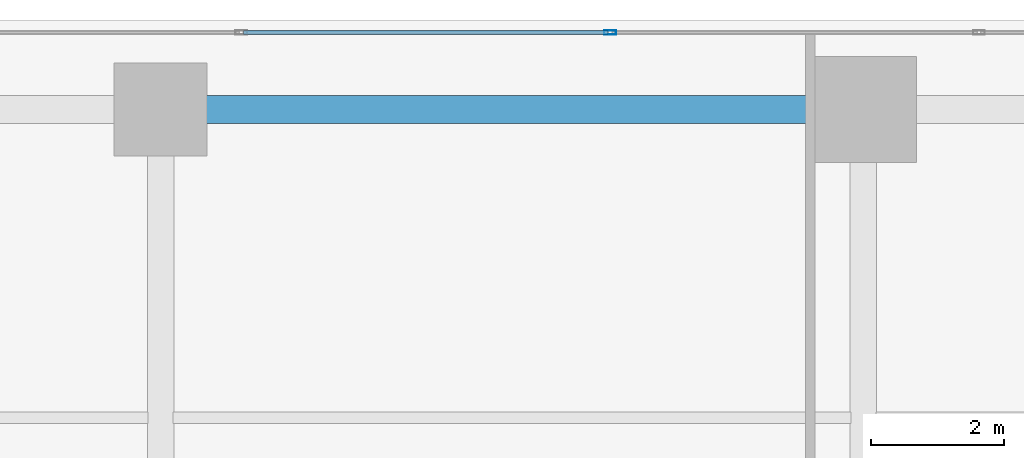
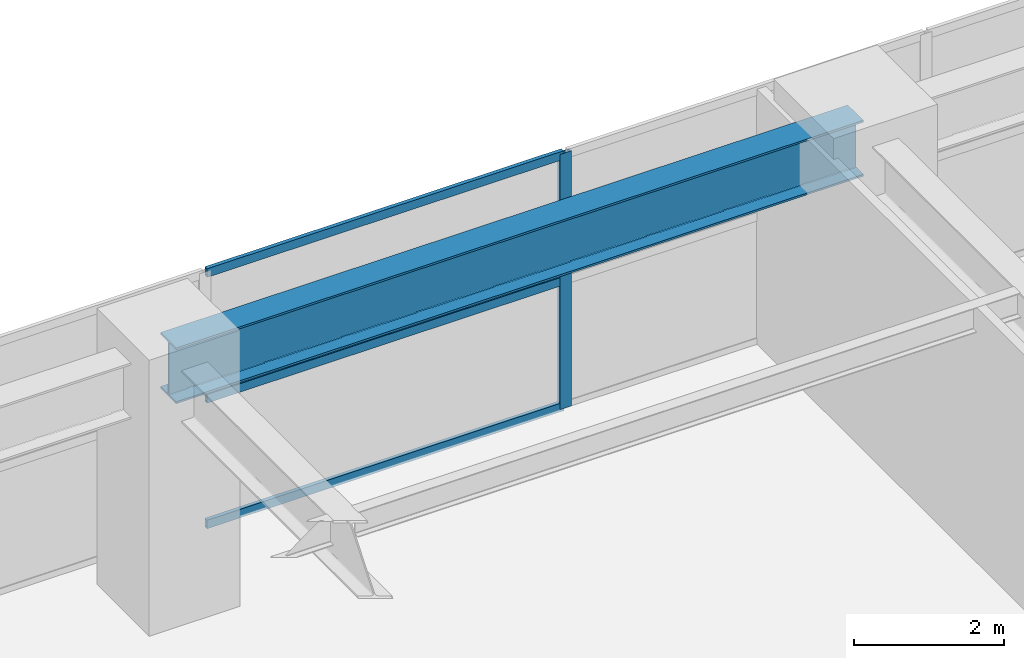
# One storey, part 6 of 26: 4 members, 1 beam, 1 element without a shape of its own.
"""IFC4 building model written with IfcOpenShell, lengths in metres."""

from ifc_helpers import new_model, si_unit, direction, frame, origin, origin_2d, place, context, subcontext, project, spatial, hollow_rectangle, i_section, extrude, source, transform, mapped, material, layer, layer_set, material_profile, profile_set, type_object, element, aggregate, save


model = new_model("IFC4")

# Units and contexts
model_context = context("Model", 3, precision=1e-05, world=origin(), true_north=direction((0.0, 1.0)))
body_context = subcontext(model_context, "Body", "Model", "MODEL_VIEW")
ifc_project = project(units=[si_unit("LENGTHUNIT", "METRE"), si_unit("AREAUNIT", "SQUARE_METRE"), si_unit("VOLUMEUNIT", "CUBIC_METRE"), si_unit("PLANEANGLEUNIT", "RADIAN"), si_unit("MASSUNIT", "GRAM", prefix="KILO")], contexts=[model_context])

# Site, building, storey
site_placement = place(None, origin())
site = spatial("IfcSite", under=ifc_project, at=site_placement, CompositionType="ELEMENT")
building_placement = place(site_placement, origin())
building = spatial("IfcBuilding", under=site, at=building_placement, Name="Khoralis Quay Care Tower", CompositionType="ELEMENT")
storey_placement = place(building_placement, frame((0.0, 0.0, 13.5)))
storey = spatial("IfcBuildingStorey", under=building, at=storey_placement, Name="L03", CompositionType="ELEMENT", Elevation=13.5)

# Beam
ifc_material_1 = material(Name="Steel S355", Category="steel")
ifc_material_profile_1 = material_profile(ifc_material_1, i_section(OverallWidth=0.41796875, OverallDepth=0.912109375, WebThickness=0.019287109375, FlangeThickness=0.031982421875, FilletRadius=0.02392578125, at=origin_2d()), Name="Steel S355")
ifc_profile_set_1 = profile_set([ifc_material_profile_1], Name="Steel S355")
beam_type = type_object("IfcBeamType", Name="BM-W920X342", PredefinedType="BEAM", material=ifc_profile_set_1)
shared_shape_1 = source(origin(), body_context, "Body", "SweptSolid", [
    extrude(i_section(OverallWidth=0.41796875, OverallDepth=0.912109375, WebThickness=0.019287109375, FlangeThickness=0.031982421875, FilletRadius=0.02392578125, at=origin_2d()), origin(), (0.0, 0.0, 1.0), 10.60009765625),
])
beam_placement = place(storey_placement, frame((24.0, 46.64990234375, 3.7041015625), z_axis=(1.0, 0.0, 0.0), x_axis=(0.0, 1.0, 0.0)))
element("IfcBeam", 1, at=beam_placement, inside=storey, type_object=beam_type, Name="BM-PODX-L03-21", PredefinedType="BEAM", context=body_context, shape_type="MappedRepresentation", body=[
    mapped(shared_shape_1, transform((0.0, 0.0, 0.0), scale=1.0)),
])

# Curtain wall, members
ifc_material_2 = material(Name="Pale anodised aluminium", Category="aluminium")
ifc_layer = layer(ifc_material_2, 0.179931640625)
ifc_layer_set = layer_set([ifc_layer], Name="Pale anodised aluminium")
curtain_wall_type = type_object("IfcCurtainWallType", Name="CW-SYS-Z1", PredefinedType="NOTDEFINED", material=ifc_layer_set)
curtain_wall_placement = place(storey_placement, origin())
curtain_wall = element("IfcCurtainWall", 2, at=curtain_wall_placement, inside=storey, type_object=curtain_wall_type, Name="L03 Unitised Curtain Wall CW-POD-L03-E4", PredefinedType="NOTDEFINED")
ifc_material_profile_2 = material_profile(ifc_material_2, hollow_rectangle(XDim=0.06494140625, YDim=0.179931640625, WallThickness=0.00390625, at=origin_2d()), Name="Pale anodised aluminium")
ifc_profile_set_2 = profile_set([ifc_material_profile_2], Name="Pale anodised aluminium")
member_type_1 = type_object("IfcMemberType", Name="CW-MUL-180", PredefinedType="MULLION", material=ifc_profile_set_2)
shared_shape_2 = source(origin(), body_context, "Body", "SweptSolid", [
    extrude(hollow_rectangle(XDim=0.06494140625, YDim=0.179931640625, WallThickness=0.00390625, at=origin_2d()), origin(), (0.0, 0.0, 1.0), 4.159912109375),
])
member_1_placement = place(storey_placement, frame((30.781005859375, 47.81005859375, 0.0), z_axis=(0.0, 0.0, 1.0), x_axis=(0.0, -1.0, 0.0)))
member_1 = element("IfcMember", 3, at=member_1_placement, type_object=member_type_1, Name="CW1 mullion 3", PredefinedType="MULLION", context=body_context, shape_type="MappedRepresentation", body=[
    mapped(shared_shape_2, transform((0.0, 0.0, 0.0), scale=1.0)),
])
ifc_material_profile_3 = material_profile(ifc_material_2, hollow_rectangle(XDim=0.06005859375, YDim=0.139892578125, WallThickness=0.00390625, at=origin_2d()), Name="Pale anodised aluminium")
ifc_profile_set_3 = profile_set([ifc_material_profile_3], Name="Pale anodised aluminium")
member_type_2 = type_object("IfcMemberType", Name="CW-TRN-140", PredefinedType="USERDEFINED", material=ifc_profile_set_3)
shared_shape_3 = source(origin(), body_context, "Body", "SweptSolid", [
    extrude(hollow_rectangle(XDim=0.06005859375, YDim=0.139892578125, WallThickness=0.00390625, at=origin_2d()), origin(), (0.0, 0.0, 1.0), 5.501953125),
])
member_2_placement = place(storey_placement, frame((30.7509765625, 47.81005859375, 0.030029296875), z_axis=(-1.0, 0.0, 0.0), x_axis=(0.0, -1.0, 0.0)))
member_2 = element("IfcMember", 4, at=member_2_placement, type_object=member_type_2, Name="CW1 transom 3.1", ObjectType="TRANSOM", PredefinedType="USERDEFINED", context=body_context, shape_type="MappedRepresentation", body=[
    mapped(shared_shape_3, transform((0.0, 0.0, 0.0), scale=1.0)),
])
member_3_placement = place(storey_placement, frame((30.7509765625, 47.81005859375, 2.080078125), z_axis=(-1.0, 0.0, 0.0), x_axis=(0.0, -1.0, 0.0)))
member_3 = element("IfcMember", 5, at=member_3_placement, type_object=member_type_2, Name="CW1 transom 3.2", ObjectType="TRANSOM", PredefinedType="USERDEFINED", context=body_context, shape_type="MappedRepresentation", body=[
    mapped(shared_shape_3, transform((0.0, 0.0, 0.0), scale=1.0)),
])
member_4_placement = place(storey_placement, frame((30.7509765625, 47.81005859375, 4.1298828125), z_axis=(-1.0, 0.0, 0.0), x_axis=(0.0, -1.0, 0.0)))
member_4 = element("IfcMember", 6, at=member_4_placement, type_object=member_type_2, Name="CW1 transom 3.3", ObjectType="TRANSOM", PredefinedType="USERDEFINED", context=body_context, shape_type="MappedRepresentation", body=[
    mapped(shared_shape_3, transform((0.0, 0.0, 0.0), scale=1.0)),
])
aggregate(curtain_wall, [member_1, member_2, member_3, member_4])

save(model, "model.ifc")
